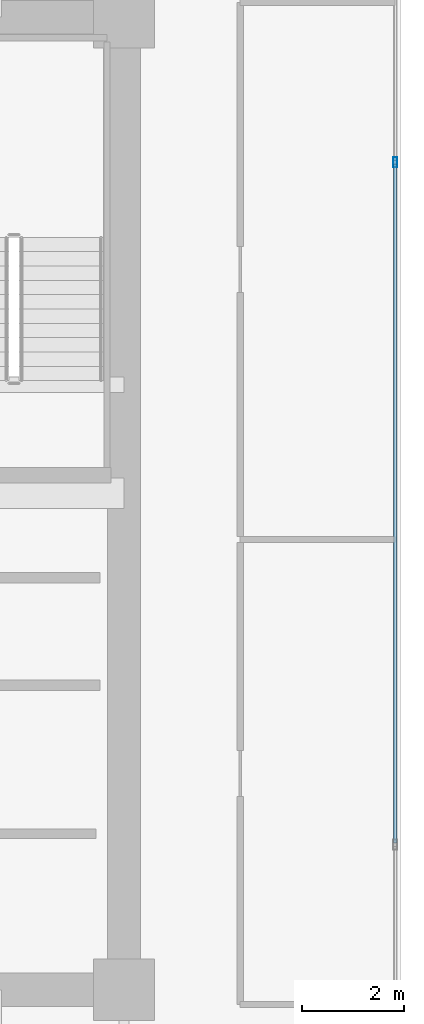
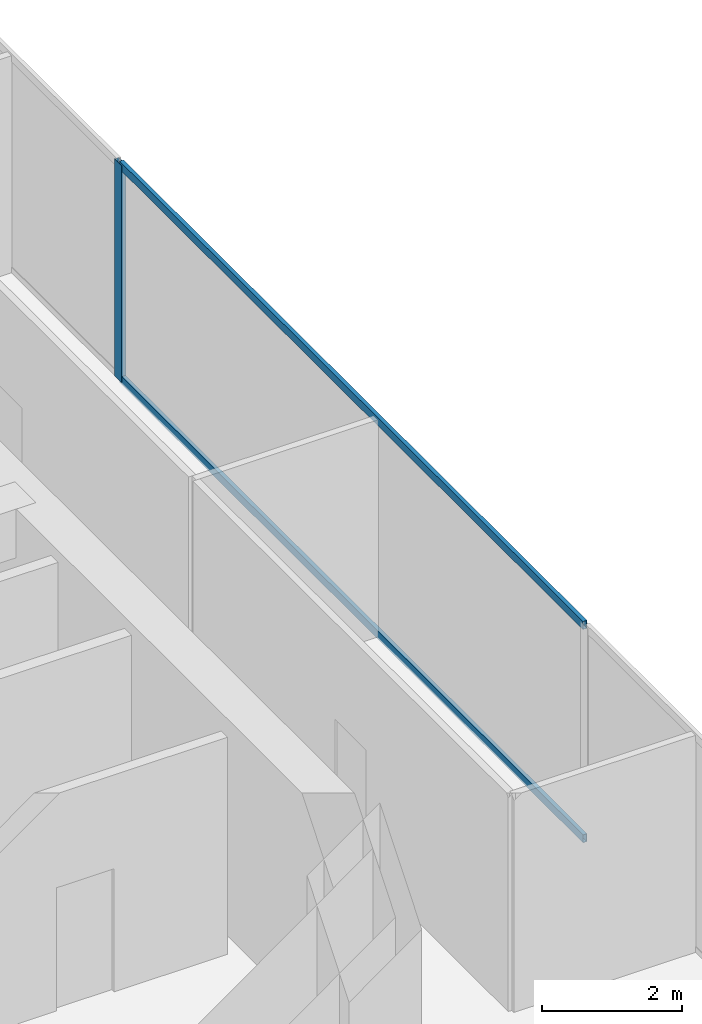
# One storey, part 22 of 30: 3 members, 1 element without a shape of its own.
"""IFC4 building model written with IfcOpenShell, lengths in metres."""

from ifc_helpers import new_model, si_unit, direction, frame, origin, origin_2d, place, context, subcontext, project, spatial, hollow_rectangle, extrude, source, transform, mapped, material, layer, layer_set, material_profile, profile_set, type_object, type_shapes, element, aggregate, save


model = new_model("IFC4")

# Units and contexts
model_context = context("Model", 3, precision=1e-05, world=origin(), true_north=direction((0.0, 1.0)))
body_context = subcontext(model_context, "Body", "Model", "MODEL_VIEW")
ifc_project = project(units=[si_unit("LENGTHUNIT", "METRE"), si_unit("AREAUNIT", "SQUARE_METRE"), si_unit("VOLUMEUNIT", "CUBIC_METRE"), si_unit("PLANEANGLEUNIT", "RADIAN"), si_unit("MASSUNIT", "GRAM", prefix="KILO")], contexts=[model_context])

# Site, building, storey
site_placement = place(None, origin())
site = spatial("IfcSite", under=ifc_project, at=site_placement, CompositionType="ELEMENT")
building_placement = place(site_placement, origin())
building = spatial("IfcBuilding", under=site, at=building_placement, Name="Haelvirn Gate Laboratories", CompositionType="ELEMENT")
storey_placement = place(building_placement, frame((0.0, 0.0, 187.10009765625)))
storey = spatial("IfcBuildingStorey", under=building, at=storey_placement, Name="L45", CompositionType="ELEMENT", Elevation=187.10009765625)

# Curtain wall, members
ifc_material_1 = material(Name="Anodised bronze unitised aluminium & triple low-E glass", Category="aluminium")
ifc_layer = layer(ifc_material_1, 0.179931640625, Name="CW-SYS-3")
ifc_layer_set = layer_set([ifc_layer], Name="Anodised bronze unitised aluminium & triple low-E glass")
curtain_wall_type = type_object("IfcCurtainWallType", Name="CW-SYS-3", PredefinedType="NOTDEFINED", material=ifc_layer_set)
curtain_wall_placement = place(storey_placement, origin())
curtain_wall = element("IfcCurtainWall", 1, at=curtain_wall_placement, inside=storey, type_object=curtain_wall_type, Name="L45 Unitised Curtain Wall CW-L45-P0-E07", PredefinedType="NOTDEFINED")
ifc_material_2 = material(Name="Extruded aluminium 6063-T6 (anodised bronze)", Category="aluminium")
ifc_material_profile_1 = material_profile(ifc_material_2, hollow_rectangle(XDim=0.06494140625, YDim=0.139892578125, WallThickness=0.00390625, at=origin_2d()), Name="CWT-140x65x4")
ifc_profile_set_1 = profile_set([ifc_material_profile_1], Name="Extruded aluminium 6063-T6 (anodised bronze)")
member_type_1 = type_object("IfcMemberType", Name="CWT-T140", PredefinedType="USERDEFINED", material=ifc_profile_set_1)
shared_shape_1 = source(origin(), body_context, "Body", "SweptSolid", [
    extrude(hollow_rectangle(XDim=0.06494140625, YDim=0.139892578125, WallThickness=0.00390625, at=origin_2d()), origin(), (0.0, 0.0, 1.0), 13.25830078125),
])
type_shapes(member_type_1, [shared_shape_1])
member_1_placement = place(storey_placement, frame((72.699951171875, 17.6708984375, 0.032470703125), z_axis=(0.0, 1.0, 0.0), x_axis=(-1.0, 0.0, 0.0)))
member_1 = element("IfcMember", 2, at=member_1_placement, type_object=member_type_1, Name="CW3 transom 2.1", ObjectType="TRANSOM", PredefinedType="USERDEFINED", context=body_context, shape_type="MappedRepresentation", body=[
    mapped(shared_shape_1, transform((0.0, 0.0, 0.0), scale=1.0)),
])
member_2_placement = place(storey_placement, frame((72.699951171875, 17.6708984375, 3.75732421875), z_axis=(0.0, 1.0, 0.0), x_axis=(-1.0, 0.0, 0.0)))
member_2 = element("IfcMember", 3, at=member_2_placement, type_object=member_type_1, Name="CW3 transom 2.2", ObjectType="TRANSOM", PredefinedType="USERDEFINED", context=body_context, shape_type="MappedRepresentation", body=[
    mapped(shared_shape_1, transform((0.0, 0.0, 0.0), scale=1.0)),
])
ifc_material_profile_2 = material_profile(ifc_material_2, hollow_rectangle(XDim=0.074951171875, YDim=0.199951171875, WallThickness=0.0048828125, at=origin_2d()), Name="CWM-200x75x5")
ifc_profile_set_2 = profile_set([ifc_material_profile_2], Name="Extruded aluminium 6063-T6 (anodised bronze)")
member_type_2 = type_object("IfcMemberType", Name="CWM-T200", PredefinedType="MULLION", material=ifc_profile_set_2)
shared_shape_2 = source(origin(), body_context, "Body", "SweptSolid", [
    extrude(hollow_rectangle(XDim=0.074951171875, YDim=0.199951171875, WallThickness=0.0048828125, at=origin_2d()), origin(), (0.0, 0.0, 1.0), 3.789794921875),
])
type_shapes(member_type_2, [shared_shape_2])
member_3_placement = place(storey_placement, frame((72.699951171875, 30.966552734375, 0.0), z_axis=(0.0, 0.0, 1.0), x_axis=(-1.0, 0.0, 0.0)))
member_3 = element("IfcMember", 4, at=member_3_placement, type_object=member_type_2, Name="CW3 mullion 3", PredefinedType="MULLION", context=body_context, shape_type="MappedRepresentation", body=[
    mapped(shared_shape_2, transform((0.0, 0.0, 0.0), scale=1.0)),
])
aggregate(curtain_wall, [member_3, member_1, member_2])

save(model, "model.ifc")
